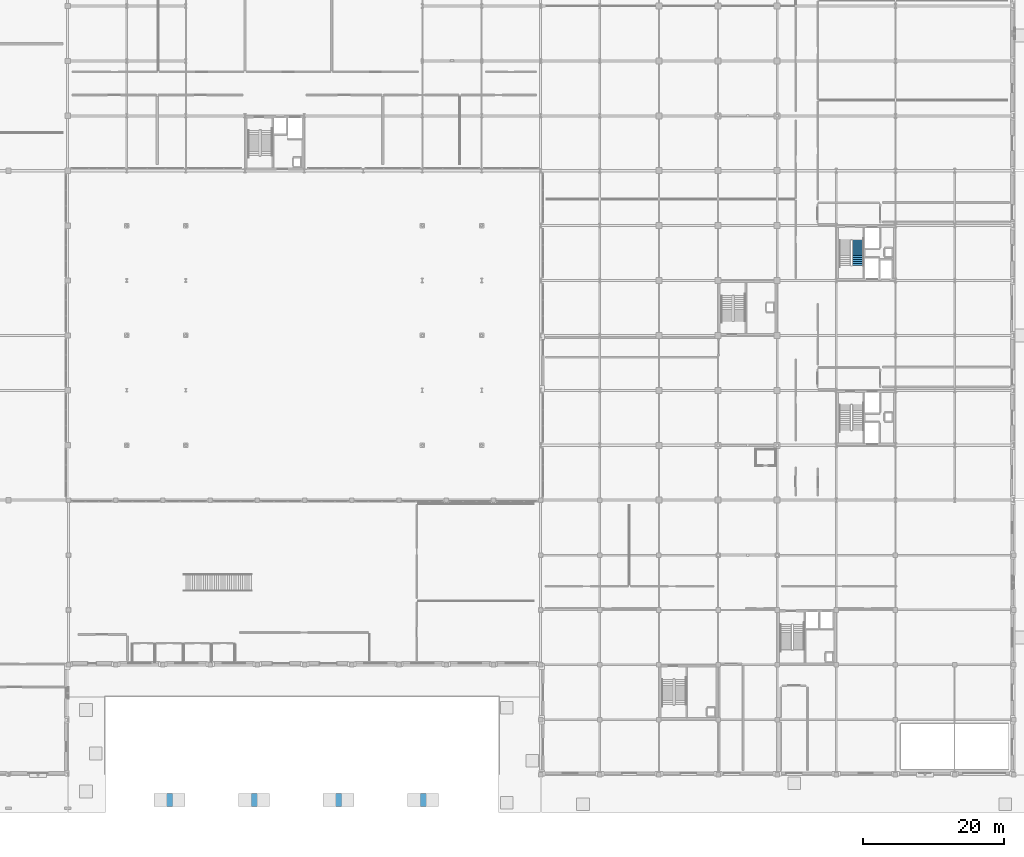
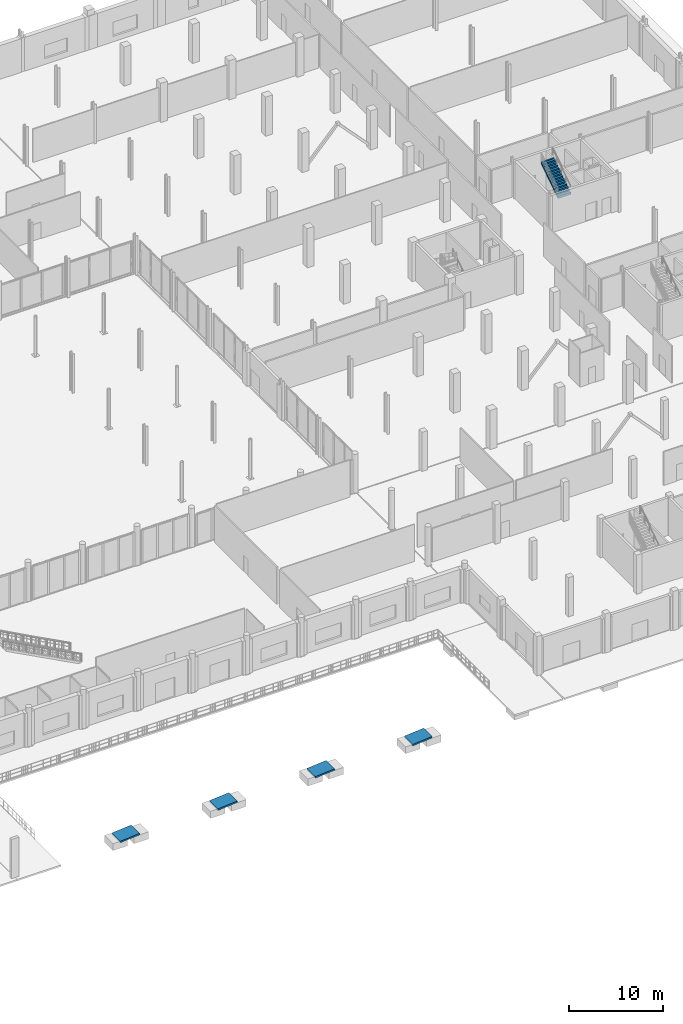
# One storey, part 61 of 80: 4 ramp flights, 1 stair flight, 5 elements without a shape of their own.
"""IFC4 building model written with IfcOpenShell, lengths in metres."""

from ifc_helpers import new_model, si_unit, direction, frame, origin, place, context, subcontext, project, spatial, polyline, outline, extrude, material, layer, layer_set, type_object, element, aggregate, save


model = new_model("IFC4")

# Units and contexts
model_context = context("Model", 3, precision=1e-05, world=origin(), true_north=direction((0.0, 1.0)))
body_context = subcontext(model_context, "Body", "Model", "MODEL_VIEW")
ifc_project = project(units=[si_unit("LENGTHUNIT", "METRE"), si_unit("AREAUNIT", "SQUARE_METRE"), si_unit("VOLUMEUNIT", "CUBIC_METRE"), si_unit("PLANEANGLEUNIT", "RADIAN"), si_unit("MASSUNIT", "GRAM", prefix="KILO")], contexts=[model_context])

# Site, building, storey
site_placement = place(None, origin())
site = spatial("IfcSite", under=ifc_project, at=site_placement, CompositionType="ELEMENT")
building_placement = place(site_placement, origin())
building = spatial("IfcBuilding", under=site, at=building_placement, Name="Nabrawat Pavilion Hospital", CompositionType="ELEMENT")
storey_placement = place(building_placement, origin())
storey = spatial("IfcBuildingStorey", under=building, at=storey_placement, Name="L00", CompositionType="ELEMENT", Elevation=0.0)

# Stair, stair flight
ifc_material_1 = material(Name="Concrete C35/45", Category="concrete")
stair_type = type_object("IfcStairType", Name="Ward Upper Dogleg Escape Stair Assembly", PredefinedType="HALF_TURN_STAIR", material=ifc_material_1)
stair_placement = place(storey_placement, origin())
stair = element("IfcStair", 1, at=stair_placement, inside=storey, type_object=stair_type, Name="L00 Inpatient North Firefighting Core 6", PredefinedType="HALF_TURN_STAIR")
stair_flight_type = type_object("IfcStairFlightType", Name="Reinforced Concrete Escape Stair Flight 1600", PredefinedType="STRAIGHT", material=ifc_material_1)
stair_flight_placement = place(storey_placement, frame((171.050048828125, 72.35498046875, 2.550048828125), z_axis=(0.0, 0.0, 1.0), x_axis=(0.0, 1.0, 0.0)))
stair_flight = element("IfcStairFlight", 2, at=stair_flight_placement, type_object=stair_flight_type, Name="ST-06 flight 2", NumberOfRisers=14, NumberOfTreads=13, PredefinedType="STRAIGHT", RiserHeight=0.182142857, TreadLength=0.275, context=body_context, shape_type="SweptSolid", body=[
    extrude(outline(polyline([(-0.008056640625, 0.0), (0.0, 0.0), (0.0, 0.18212890625), (0.27490234375, 0.18212890625), (0.27490234375, 0.3642578125), (0.550048828125, 0.3642578125), (0.550048828125, 0.54638671875), (0.824951171875, 0.54638671875), (0.824951171875, 0.728515625), (1.10009765625, 0.728515625), (1.10009765625, 0.91064453125), (1.375, 0.91064453125), (1.375, 1.0927734375), (1.64990234375, 1.0927734375), (1.64990234375, 1.27490234375), (1.925048828125, 1.27490234375), (1.925048828125, 1.45703125), (2.199951171875, 1.45703125), (2.199951171875, 1.639404296875), (2.47509765625, 1.639404296875), (2.47509765625, 1.821533203125), (2.75, 1.821533203125), (2.75, 2.003662109375), (3.02490234375, 2.003662109375), (3.02490234375, 2.185791015625), (3.300048828125, 2.185791015625), (3.300048828125, 2.367919921875), (3.574951171875, 2.367919921875), (3.574951171875, 2.550048828125), (3.5830078125, 2.550048828125), (3.5830078125, 2.400146484375), (3.574951171875, 2.18798828125), (0.271484375, 0.0), (-0.008056640625, -0.1201171875), (-0.008056640625, 0.0)])), frame((0.0, 0.800048828125, 0.0), z_axis=(0.0, -1.0, 0.0), x_axis=(1.0, 0.0, 0.0)), (0.0, 0.0, 1.0), 1.60009765625),
])
aggregate(stair, [stair_flight])

# Ramp, ramp flight
ifc_material_2 = material(Name="Precast concrete C40/50", Category="concrete")
ramp_type = type_object("IfcRampType", Name="Accessible Step-Free Entrance Pedestrian Ramp", PredefinedType="STRAIGHT_RUN_RAMP", material=ifc_material_2)
ramp_1_placement = place(storey_placement, origin())
ramp_1 = element("IfcRamp", 3, at=ramp_1_placement, inside=storey, type_object=ramp_type, Name="Accessible Concourse Threshold Ramp 01", PredefinedType="STRAIGHT_RUN_RAMP")
ifc_layer = layer(ifc_material_2, 0.199951171875, Name="Precast concrete C40/50")
ifc_layer_set = layer_set([ifc_layer], Name="Precast concrete C40/50")
ramp_flight_type = type_object("IfcRampFlightType", Name="Accessible Pedestrian Ramp Flight 1800", PredefinedType="STRAIGHT", material=ifc_layer_set)
ramp_flight_1_placement = place(storey_placement, frame((72.0, -3.60009765625, -0.199951171875), z_axis=(0.0, 0.0, 1.0), x_axis=(1.0, 0.0, 0.0)))
ramp_flight_1 = element("IfcRampFlight", 4, at=ramp_flight_1_placement, type_object=ramp_flight_type, Name="Accessible Concourse Threshold Ramp Flight 01", PredefinedType="STRAIGHT", context=body_context, shape_type="SweptSolid", body=[
    extrude(outline(polyline([(0.0, 0.0), (2.39990234375, 0.199951171875), (2.39990234375, 0.0), (0.0, -0.199951171875), (0.0, 0.0)])), frame((0.0, 0.89990234375, 0.0), z_axis=(0.0, -1.0, 0.0), x_axis=(1.0, 0.0, 0.0)), (0.0, 0.0, 1.0), 1.800048828125),
])
aggregate(ramp_1, [ramp_flight_1])

ramp_2_placement = place(storey_placement, origin())
ramp_2 = element("IfcRamp", 5, at=ramp_2_placement, inside=storey, type_object=ramp_type, Name="Accessible Concourse Threshold Ramp 02", PredefinedType="STRAIGHT_RUN_RAMP")
ramp_flight_2_placement = place(storey_placement, frame((84.0, -3.60009765625, -0.199951171875), z_axis=(0.0, 0.0, 1.0), x_axis=(1.0, 0.0, 0.0)))
ramp_flight_2 = element("IfcRampFlight", 6, at=ramp_flight_2_placement, type_object=ramp_flight_type, Name="Accessible Concourse Threshold Ramp Flight 02", PredefinedType="STRAIGHT", context=body_context, shape_type="SweptSolid", body=[
    extrude(outline(polyline([(0.0, 0.0), (2.39990234375, 0.199951171875), (2.39990234375, 0.0), (0.0, -0.199951171875), (0.0, 0.0)])), frame((0.0, 0.89990234375, 0.0), z_axis=(0.0, -1.0, 0.0), x_axis=(1.0, 0.0, 0.0)), (0.0, 0.0, 1.0), 1.800048828125),
])
aggregate(ramp_2, [ramp_flight_2])

ramp_3_placement = place(storey_placement, origin())
ramp_3 = element("IfcRamp", 7, at=ramp_3_placement, inside=storey, type_object=ramp_type, Name="Accessible Concourse Threshold Ramp 03", PredefinedType="STRAIGHT_RUN_RAMP")
ramp_flight_3_placement = place(storey_placement, frame((96.0, -3.60009765625, -0.199951171875), z_axis=(0.0, 0.0, 1.0), x_axis=(1.0, 0.0, 0.0)))
ramp_flight_3 = element("IfcRampFlight", 8, at=ramp_flight_3_placement, type_object=ramp_flight_type, Name="Accessible Concourse Threshold Ramp Flight 03", PredefinedType="STRAIGHT", context=body_context, shape_type="SweptSolid", body=[
    extrude(outline(polyline([(0.0, 0.0), (2.39990234375, 0.199951171875), (2.39990234375, 0.0), (0.0, -0.199951171875), (0.0, 0.0)])), frame((0.0, 0.89990234375, 0.0), z_axis=(0.0, -1.0, 0.0), x_axis=(1.0, 0.0, 0.0)), (0.0, 0.0, 1.0), 1.800048828125),
])
aggregate(ramp_3, [ramp_flight_3])

ramp_4_placement = place(storey_placement, origin())
ramp_4 = element("IfcRamp", 9, at=ramp_4_placement, inside=storey, type_object=ramp_type, Name="Accessible Concourse Threshold Ramp 04", PredefinedType="STRAIGHT_RUN_RAMP")
ramp_flight_4_placement = place(storey_placement, frame((108.0, -3.60009765625, -0.199951171875), z_axis=(0.0, 0.0, 1.0), x_axis=(1.0, 0.0, 0.0)))
ramp_flight_4 = element("IfcRampFlight", 10, at=ramp_flight_4_placement, type_object=ramp_flight_type, Name="Accessible Concourse Threshold Ramp Flight 04", PredefinedType="STRAIGHT", context=body_context, shape_type="SweptSolid", body=[
    extrude(outline(polyline([(0.0, 0.0), (2.39990234375, 0.199951171875), (2.39990234375, 0.0), (0.0, -0.199951171875), (0.0, 0.0)])), frame((0.0, 0.89990234375, 0.0), z_axis=(0.0, -1.0, 0.0), x_axis=(1.0, 0.0, 0.0)), (0.0, 0.0, 1.0), 1.800048828125),
])
aggregate(ramp_4, [ramp_flight_4])

save(model, "model.ifc")
